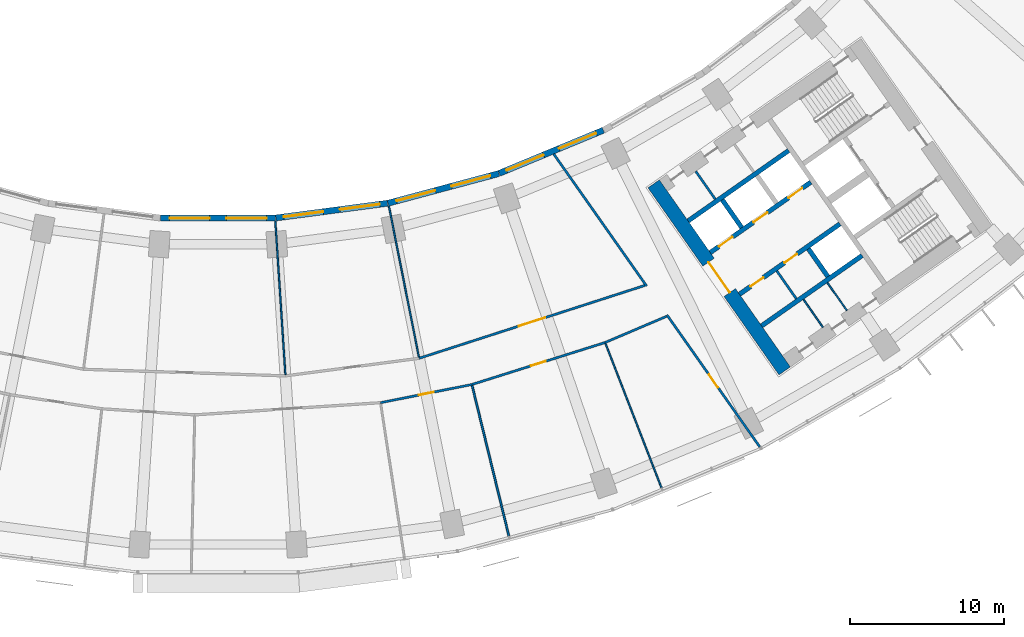
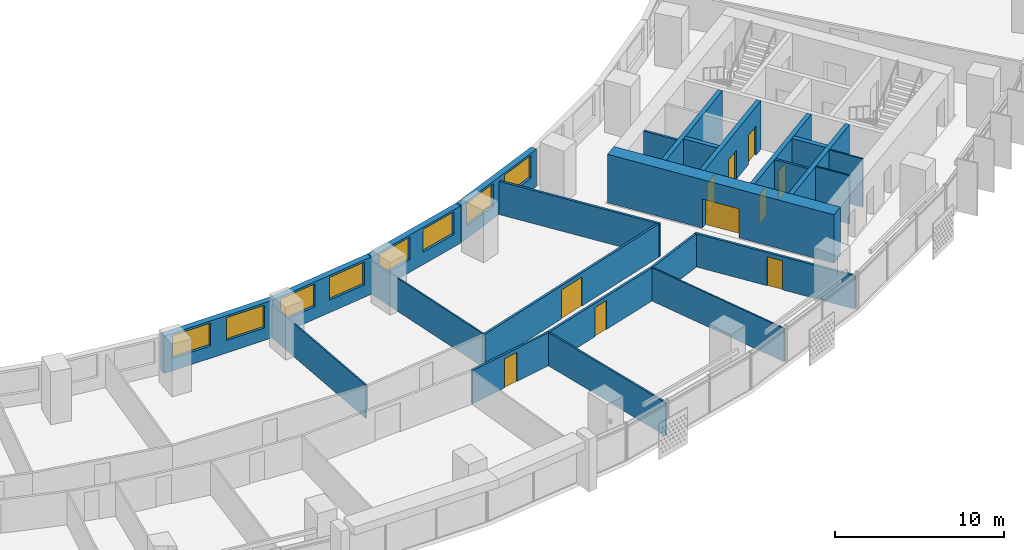
# One storey, part 6 of 31: 25 walls, 10 doors, 8 windows, 18 openings.
"""IFC4 building model written with IfcOpenShell, lengths in metres."""

from ifc_helpers import new_model, si_unit, direction, frame, frame_2d, origin, place, context, subcontext, project, spatial, rectangle, extrude, material, layer, layer_set, type_object, element, fill, save


model = new_model("IFC4")

# Units and contexts
model_context = context("Model", 3, precision=1e-05, world=origin(), true_north=direction((0.0, 1.0)))
body_context = subcontext(model_context, "Body", "Model", "MODEL_VIEW")
ifc_project = project(units=[si_unit("LENGTHUNIT", "METRE"), si_unit("AREAUNIT", "SQUARE_METRE"), si_unit("VOLUMEUNIT", "CUBIC_METRE"), si_unit("PLANEANGLEUNIT", "RADIAN"), si_unit("MASSUNIT", "GRAM", prefix="KILO")], contexts=[model_context])

# Site, building, storey
site_placement = place(None, origin())
site = spatial("IfcSite", under=ifc_project, at=site_placement, CompositionType="ELEMENT")
building_placement = place(site_placement, origin())
building = spatial("IfcBuilding", under=site, at=building_placement, Name="Qamariyya Broadcast Tower", CompositionType="ELEMENT")
storey_placement = place(building_placement, frame((0.0, 0.0, 74.699951171875)))
storey = spatial("IfcBuildingStorey", under=building, at=storey_placement, Name="L15", CompositionType="ELEMENT", Elevation=74.699951171875)

# Wall, opening, door
ifc_material_1 = material(Name="Concrete C70/85", Category="concrete")
ifc_layer_1 = layer(ifc_material_1, 0.89990234375)
ifc_layer_set_1 = layer_set([ifc_layer_1], Name="Core wall 900 mm Concrete C70/85")
wall_type_1 = type_object("IfcWallType", Name="Core wall 900 mm Concrete C70/85", PredefinedType="SHEAR", material=ifc_layer_set_1)
wall_1_placement = place(storey_placement, frame((36.716796875, -66.3369140625, 0.0), z_axis=(0.0, 0.0, 1.0), x_axis=(-0.573577477574, 0.819151315216, 0.0)))
wall_1 = element("IfcWall", 1, at=wall_1_placement, inside=storey, type_object=wall_type_1, Name="k-E-L15-WA", PredefinedType="SHEAR", context=body_context, shape_type="SweptSolid", body=[
    extrude(rectangle(XDim=14.800048828125, YDim=0.89990234375, at=frame_2d((7.39990234375, 0.0))), origin(), (0.0, 0.0, 1.0), 3.5),
])
opening_1_placement = place(wall_1_placement, frame((6.199951171875, 0.0, 0.0)))
opening_1 = element("IfcOpeningElement", 2, at=opening_1_placement, cuts=wall_1, Name="Opening KD3-E1", PredefinedType="OPENING", context=body_context, shape_type="SweptSolid", body=[
    extrude(rectangle(XDim=2.39990234375, YDim=2.10009765625, at=frame_2d((1.199951171875, 1.050048828125))), frame((0.0, 0.4599609375, 0.0), z_axis=(0.0, -1.0, 0.0), x_axis=(1.0, 0.0, 0.0)), (0.0, 0.0, 1.0), 0.919921875),
])
ifc_material_2 = material(Name="Steel fire-resisting door leaf", Category="steel")
door_type_1 = type_object("IfcDoorType", Name="Lift lobby door KD3", OperationType="DOUBLE_DOOR_SINGLE_SWING", PredefinedType="DOOR", material=ifc_material_2)
door_1_placement = place(opening_1_placement, origin())
door_1 = element("IfcDoor", 3, at=door_1_placement, inside=storey, type_object=door_type_1, Name="k-E-L15-WA-D1", OperationType="DOUBLE_DOOR_SINGLE_SWING", OverallHeight=2.10009765625, OverallWidth=2.39990234375, PredefinedType="DOOR", context=body_context, shape_type="SweptSolid", body=[
    extrude(rectangle(XDim=2.39990234375, YDim=2.10009765625, at=frame_2d((1.199951171875, 1.050048828125))), frame((0.0, 0.02490234375, 0.0), z_axis=(0.0, -1.0, 0.0), x_axis=(1.0, 0.0, 0.0)), (0.0, 0.0, 1.0), 0.050048828125),
])
fill(opening_1, door_1)

ifc_material_3 = material(Name="Gypsum board partition")
ifc_layer_2 = layer(ifc_material_3, 0.14990234375)
ifc_layer_set_2 = layer_set([ifc_layer_2], Name="Corridor partition 150 EI 60")
wall_type_2 = type_object("IfcWallType", Name="Corridor partition 150 EI 60", PredefinedType="PARTITIONING", material=ifc_layer_set_2)
wall_2_placement = place(storey_placement, frame((16.446044921875, -67.21728515625, 0.0), z_axis=(0.0, 0.0, 1.0), x_axis=(-0.980785582749, -0.195088802015, 0.0)))
wall_2 = element("IfcWall", 4, at=wall_2_placement, inside=storey, type_object=wall_type_2, Name="Partition L15-024", PredefinedType="PARTITIONING", context=body_context, shape_type="SweptSolid", body=[
    extrude(rectangle(XDim=6.033203125, YDim=0.14990234375, at=frame_2d((3.0166015625, 0.0))), origin(), (0.0, 0.0, 1.0), 2.400146484375),
])
opening_2_placement = place(wall_2_placement, frame((2.5166015625, 0.0, 0.0)))
opening_2 = element("IfcOpeningElement", 5, at=opening_2_placement, cuts=wall_2, Name="Opening L15-D07", PredefinedType="OPENING", context=body_context, shape_type="SweptSolid", body=[
    extrude(rectangle(XDim=1.0, YDim=2.10009765625, at=frame_2d((0.5, 1.050048828125))), frame((0.0, 0.0849609375, 0.0), z_axis=(0.0, -1.0, 0.0), x_axis=(1.0, 0.0, 0.0)), (0.0, 0.0, 1.0), 0.169921875),
])
ifc_material_4 = material(Name="Timber fire door leaf", Category="wood")
door_type_2 = type_object("IfcDoorType", Name="Fire door 1000 x 2100 FD60", OperationType="NOTDEFINED", PredefinedType="DOOR", material=ifc_material_4)
door_2_placement = place(opening_2_placement, origin())
door_2 = element("IfcDoor", 6, at=door_2_placement, inside=storey, type_object=door_type_2, Name="Door L15-D07", OperationType="SINGLE_SWING_RIGHT", OverallHeight=2.10009765625, OverallWidth=1.0, PredefinedType="DOOR", context=body_context, shape_type="SweptSolid", body=[
    extrude(rectangle(XDim=1.0, YDim=2.10009765625, at=frame_2d((0.5, 1.050048828125))), frame((0.0, 0.02490234375, 0.0), z_axis=(0.0, -1.0, 0.0), x_axis=(1.0, 0.0, 0.0)), (0.0, 0.0, 1.0), 0.050048828125),
])
fill(opening_2, door_2)

wall_3_placement = place(storey_placement, frame((13.031982421875, -65.516357421875, 0.0), z_axis=(0.0, 0.0, 1.0), x_axis=(0.951666530015, 0.307133221338, 0.0)))
wall_3 = element("IfcWall", 7, at=wall_3_placement, inside=storey, type_object=wall_type_2, Name="Partition L15-027", PredefinedType="PARTITIONING", context=body_context, shape_type="SweptSolid", body=[
    extrude(rectangle(XDim=15.3662109375, YDim=0.14990234375, at=frame_2d((7.68310546875, 0.0))), origin(), (0.0, 0.0, 1.0), 2.400146484375),
])
opening_3_placement = place(wall_3_placement, frame((6.782958984375, 0.0, 0.0)))
opening_3 = element("IfcOpeningElement", 8, at=opening_3_placement, cuts=wall_3, Name="Opening L15-D15", PredefinedType="OPENING", context=body_context, shape_type="SweptSolid", body=[
    extrude(rectangle(XDim=1.800048828125, YDim=2.10009765625, at=frame_2d((0.89990234375, 1.050048828125))), frame((0.0, 0.0849609375, 0.0), z_axis=(0.0, -1.0, 0.0), x_axis=(1.0, 0.0, 0.0)), (0.0, 0.0, 1.0), 0.169921875),
])
door_type_3 = type_object("IfcDoorType", Name="Double fire door 1800 x 2100 FD60", OperationType="NOTDEFINED", PredefinedType="DOOR", material=ifc_material_4)
door_3_placement = place(opening_3_placement, origin())
door_3 = element("IfcDoor", 9, at=door_3_placement, inside=storey, type_object=door_type_3, Name="Door L15-D15", OperationType="DOUBLE_DOOR_SINGLE_SWING", OverallHeight=2.10009765625, OverallWidth=1.800048828125, PredefinedType="DOOR", context=body_context, shape_type="SweptSolid", body=[
    extrude(rectangle(XDim=1.800048828125, YDim=2.10009765625, at=frame_2d((0.89990234375, 1.050048828125))), frame((0.0, 0.02490234375, 0.0), z_axis=(0.0, -1.0, 0.0), x_axis=(1.0, 0.0, 0.0)), (0.0, 0.0, 1.0), 0.050048828125),
])
fill(opening_3, door_3)

wall_4_placement = place(storey_placement, frame((25.078857421875, -64.49560546875, 0.0), z_axis=(0.0, 0.0, 1.0), x_axis=(-0.953724416281, -0.300682120834, 0.0)))
wall_4 = element("IfcWall", 10, at=wall_4_placement, inside=storey, type_object=wall_type_2, Name="Partition L15-028", PredefinedType="PARTITIONING", context=body_context, shape_type="SweptSolid", body=[
    extrude(rectangle(XDim=9.0517578125, YDim=0.14990234375, at=frame_2d((4.52587890625, 0.0))), origin(), (0.0, 0.0, 1.0), 2.400146484375),
])
opening_4_placement = place(wall_4_placement, frame((4.02587890625, 0.0, 0.0)))
opening_4 = element("IfcOpeningElement", 11, at=opening_4_placement, cuts=wall_4, Name="Opening L15-D08", PredefinedType="OPENING", context=body_context, shape_type="SweptSolid", body=[
    extrude(rectangle(XDim=1.0, YDim=2.10009765625, at=frame_2d((0.5, 1.050048828125))), frame((0.0, 0.0849609375, 0.0), z_axis=(0.0, -1.0, 0.0), x_axis=(1.0, 0.0, 0.0)), (0.0, 0.0, 1.0), 0.169921875),
])
door_4_placement = place(opening_4_placement, origin())
door_4 = element("IfcDoor", 12, at=door_4_placement, inside=storey, type_object=door_type_2, Name="Door L15-D08", OperationType="SINGLE_SWING_RIGHT", OverallHeight=2.10009765625, OverallWidth=1.0, PredefinedType="DOOR", context=body_context, shape_type="SweptSolid", body=[
    extrude(rectangle(XDim=1.0, YDim=2.10009765625, at=frame_2d((0.5, 1.050048828125))), frame((0.0, 0.02490234375, 0.0), z_axis=(0.0, -1.0, 0.0), x_axis=(1.0, 0.0, 0.0)), (0.0, 0.0, 1.0), 0.050048828125),
])
fill(opening_4, door_4)

# Walls
wall_5_placement = place(storey_placement, frame((21.748291015625, -52.2763671875, 0.0), z_axis=(0.0, 0.0, 1.0), x_axis=(0.575419434668, -0.817858468322, 0.0)))
element("IfcWall", 13, at=wall_5_placement, inside=storey, type_object=wall_type_2, Name="Partition L15-030", PredefinedType="PARTITIONING", context=body_context, shape_type="SweptSolid", body=[
    extrude(rectangle(XDim=10.46484375, YDim=0.14990234375, at=frame_2d((5.232421875, 0.0))), origin(), (0.0, 0.0, 1.0), 2.400146484375),
])
wall_6_placement = place(storey_placement, frame((25.078857421875, -64.49560546875, 0.0), z_axis=(0.0, 0.0, 1.0), x_axis=(0.920023602502, 0.391862949052, 0.0)))
element("IfcWall", 14, at=wall_6_placement, inside=storey, type_object=wall_type_2, Name="Partition L15-031", PredefinedType="PARTITIONING", context=body_context, shape_type="SweptSolid", body=[
    extrude(rectangle(XDim=4.329345703125, YDim=0.14990234375, at=frame_2d((2.16455078125, 0.0))), origin(), (0.0, 0.0, 1.0), 2.400146484375),
])

# Wall, opening, door
wall_7_placement = place(storey_placement, frame((35.11328125, -71.2724609375, 0.0), z_axis=(0.0, 0.0, 1.0), x_axis=(-0.575411972256, 0.817863718589, 0.0)))
wall_7 = element("IfcWall", 15, at=wall_7_placement, inside=storey, type_object=wall_type_2, Name="Partition L15-033", PredefinedType="PARTITIONING", context=body_context, shape_type="SweptSolid", body=[
    extrude(rectangle(XDim=10.471435546875, YDim=0.14990234375, at=frame_2d((5.23583984375, 0.0))), origin(), (0.0, 0.0, 1.0), 2.400146484375),
])
opening_5_placement = place(wall_7_placement, frame((4.735595703125, 0.0, 0.0)))
opening_5 = element("IfcOpeningElement", 16, at=opening_5_placement, cuts=wall_7, Name="Opening L15-D09", PredefinedType="OPENING", context=body_context, shape_type="SweptSolid", body=[
    extrude(rectangle(XDim=1.0, YDim=2.10009765625, at=frame_2d((0.5, 1.050048828125))), frame((0.0, 0.0849609375, 0.0), z_axis=(0.0, -1.0, 0.0), x_axis=(1.0, 0.0, 0.0)), (0.0, 0.0, 1.0), 0.169921875),
])
door_5_placement = place(opening_5_placement, origin())
door_5 = element("IfcDoor", 17, at=door_5_placement, inside=storey, type_object=door_type_2, Name="Door L15-D09", OperationType="SINGLE_SWING_RIGHT", OverallHeight=2.10009765625, OverallWidth=1.0, PredefinedType="DOOR", context=body_context, shape_type="SweptSolid", body=[
    extrude(rectangle(XDim=1.0, YDim=2.10009765625, at=frame_2d((0.5, 1.050048828125))), frame((0.0, 0.02490234375, 0.0), z_axis=(0.0, -1.0, 0.0), x_axis=(1.0, 0.0, 0.0)), (0.0, 0.0, 1.0), 0.050048828125),
])
fill(opening_5, door_5)

# Walls
ifc_material_5 = material(Name="Gypsum board partition on steel studs", Category="steel")
ifc_layer_3 = layer(ifc_material_5, 0.14990234375)
ifc_layer_set_3 = layer_set([ifc_layer_3], Name="Gypsum board partition 150 mm")
wall_type_3 = type_object("IfcWallType", Name="Gypsum board partition 150 mm", PredefinedType="PARTITIONING", material=ifc_layer_set_3)
for number, where, z_axis, x_axis, name in (
    (18, (36.2080078125, -59.85693359375, 0.0), (0.0, 0.0, 1.0), (0.573581496053, -0.819148501424, 0.0), "k-E-L15-SC285"),
    (19, (32.2177734375, -55.204345703125, 0.0), (0.0, 0.0, 1.0), (-0.573581496053, 0.819148501424, 0.0), "k-E-L15-NP225"),
):
    element("IfcWall", number, at=place(storey_placement, frame(where, z_axis=z_axis, x_axis=x_axis)), inside=storey, type_object=wall_type_3, Name=name, PredefinedType="PARTITIONING", context=body_context, shape_type="SweptSolid", body=[
        extrude(rectangle(XDim=2.2001953125, YDim=0.14990234375, at=frame_2d((1.10009765625, 0.0))), origin(), (0.0, 0.0, 1.0), 3.5),
    ])

# Wall, openings, doors
ifc_material_6 = material(Name="Concrete C60/75", Category="concrete")
ifc_layer_4 = layer(ifc_material_6, 0.300048828125)
ifc_layer_set_4 = layer_set([ifc_layer_4], Name="Lift shaft wall 300 mm Concrete C60/75")
wall_type_4 = type_object("IfcWallType", Name="Lift shaft wall 300 mm Concrete C60/75", PredefinedType="SOLIDWALL", material=ifc_layer_set_4)
wall_8_placement = place(storey_placement, frame((31.89453125, -58.66552734375, 0.0), z_axis=(0.0, 0.0, 1.0), x_axis=(0.819166993208, 0.573555086491, 0.0)))
wall_8 = element("IfcWall", 20, at=wall_8_placement, inside=storey, type_object=wall_type_4, Name="k-E-L15-NF0", PredefinedType="SOLIDWALL", context=body_context, shape_type="SweptSolid", body=[
    extrude(rectangle(XDim=7.9501953125, YDim=0.300048828125, at=frame_2d((3.97509765625, 0.0))), origin(), (0.0, 0.0, 1.0), 3.5),
])
opening_6_placement = place(wall_8_placement, frame((0.675048828125, 0.0, 0.0)))
opening_6 = element("IfcOpeningElement", 21, at=opening_6_placement, cuts=wall_8, Name="Opening LD", PredefinedType="OPENING", context=body_context, shape_type="SweptSolid", body=[
    extrude(rectangle(XDim=1.10009765625, YDim=2.10009765625, at=frame_2d((0.550048828125, 1.050048828125))), frame((0.0, 0.159912109375, 0.0), z_axis=(0.0, -1.0, 0.0), x_axis=(1.0, 0.0, 0.0)), (0.0, 0.0, 1.0), 0.320068359375),
])
opening_7_placement = place(wall_8_placement, frame((3.425048828125, 0.0, 0.0)))
opening_7 = element("IfcOpeningElement", 22, at=opening_7_placement, cuts=wall_8, Name="Opening LD", PredefinedType="OPENING", context=body_context, shape_type="SweptSolid", body=[
    extrude(rectangle(XDim=1.10009765625, YDim=2.10009765625, at=frame_2d((0.550048828125, 1.050048828125))), frame((0.0, 0.159912109375, 0.0), z_axis=(0.0, -1.0, 0.0), x_axis=(1.0, 0.0, 0.0)), (0.0, 0.0, 1.0), 0.320068359375),
])
opening_8_placement = place(wall_8_placement, frame((6.175048828125, 0.0, 0.0)))
opening_8 = element("IfcOpeningElement", 23, at=opening_8_placement, cuts=wall_8, Name="Opening LD", PredefinedType="OPENING", context=body_context, shape_type="SweptSolid", body=[
    extrude(rectangle(XDim=1.10009765625, YDim=2.10009765625, at=frame_2d((0.550048828125, 1.050048828125))), frame((0.0, 0.159912109375, 0.0), z_axis=(0.0, -1.0, 0.0), x_axis=(1.0, 0.0, 0.0)), (0.0, 0.0, 1.0), 0.320068359375),
])
door_type_4 = type_object("IfcDoorType", Name="Lift landing door LD", OperationType="DOUBLE_DOOR_SLIDING", PredefinedType="DOOR", material=ifc_material_2)
door_6_placement = place(opening_6_placement, origin())
door_6 = element("IfcDoor", 24, at=door_6_placement, inside=storey, type_object=door_type_4, Name="k-E-L15-NF0-D2", OperationType="DOUBLE_DOOR_SLIDING", OverallHeight=2.10009765625, OverallWidth=1.10009765625, PredefinedType="DOOR", context=body_context, shape_type="SweptSolid", body=[
    extrude(rectangle(XDim=1.10009765625, YDim=2.10009765625, at=frame_2d((0.550048828125, 1.050048828125))), frame((0.0, 0.02490234375, 0.0), z_axis=(0.0, -1.0, 0.0), x_axis=(1.0, 0.0, 0.0)), (0.0, 0.0, 1.0), 0.050048828125),
])
fill(opening_6, door_6)
door_7_placement = place(opening_7_placement, origin())
door_7 = element("IfcDoor", 25, at=door_7_placement, inside=storey, type_object=door_type_4, Name="k-E-L15-NF0-D3", OperationType="DOUBLE_DOOR_SLIDING", OverallHeight=2.10009765625, OverallWidth=1.10009765625, PredefinedType="DOOR", context=body_context, shape_type="SweptSolid", body=[
    extrude(rectangle(XDim=1.10009765625, YDim=2.10009765625, at=frame_2d((0.550048828125, 1.050048828125))), frame((0.0, 0.02490234375, 0.0), z_axis=(0.0, -1.0, 0.0), x_axis=(1.0, 0.0, 0.0)), (0.0, 0.0, 1.0), 0.050048828125),
])
fill(opening_7, door_7)
door_8_placement = place(opening_8_placement, origin())
door_8 = element("IfcDoor", 26, at=door_8_placement, inside=storey, type_object=door_type_4, Name="k-E-L15-NF0-D4", OperationType="DOUBLE_DOOR_SLIDING", OverallHeight=2.10009765625, OverallWidth=1.10009765625, PredefinedType="DOOR", context=body_context, shape_type="SweptSolid", body=[
    extrude(rectangle(XDim=1.10009765625, YDim=2.10009765625, at=frame_2d((0.550048828125, 1.050048828125))), frame((0.0, 0.02490234375, 0.0), z_axis=(0.0, -1.0, 0.0), x_axis=(1.0, 0.0, 0.0)), (0.0, 0.0, 1.0), 0.050048828125),
])
fill(opening_8, door_8)

# Walls
wall_9_placement = place(storey_placement, frame((30.460693359375, -56.61767578125, 0.0), z_axis=(0.0, 0.0, 1.0), x_axis=(0.819142461705, 0.573590121456, 0.0)))
element("IfcWall", 27, at=wall_9_placement, inside=storey, type_object=wall_type_4, Name="k-E-L15-NB0", PredefinedType="SOLIDWALL", context=body_context, shape_type="SweptSolid", body=[
    extrude(rectangle(XDim=7.949951171875, YDim=0.300048828125, at=frame_2d((3.97509765625, 0.0))), origin(), (0.0, 0.0, 1.0), 3.5),
])
wall_10_placement = place(storey_placement, frame((33.9384765625, -57.051513671875, 0.0), z_axis=(0.0, 0.0, 1.0), x_axis=(-0.573581496053, 0.819148501424, 0.0)))
element("IfcWall", 28, at=wall_10_placement, inside=storey, type_object=wall_type_4, Name="k-E-L15-ND0", PredefinedType="SOLIDWALL", context=body_context, shape_type="SweptSolid", body=[
    extrude(rectangle(XDim=2.2001953125, YDim=0.300048828125, at=frame_2d((1.10009765625, 0.0))), origin(), (0.0, 0.0, 1.0), 3.5),
])

# Wall, openings, doors
wall_11_placement = place(storey_placement, frame((33.787353515625, -61.368896484375, 0.0), z_axis=(0.0, 0.0, 1.0), x_axis=(0.819152564888, 0.573575692858, 0.0)))
wall_11 = element("IfcWall", 29, at=wall_11_placement, inside=storey, type_object=wall_type_4, Name="k-E-L15-SF0", PredefinedType="SOLIDWALL", context=body_context, shape_type="SweptSolid", body=[
    extrude(rectangle(XDim=7.9501953125, YDim=0.300048828125, at=frame_2d((3.97509765625, 0.0))), origin(), (0.0, 0.0, 1.0), 3.5),
])
opening_9_placement = place(wall_11_placement, frame((0.887451171875, 0.0, 0.0)))
opening_9 = element("IfcOpeningElement", 30, at=opening_9_placement, cuts=wall_11, Name="Opening KD4-E1", PredefinedType="OPENING", context=body_context, shape_type="SweptSolid", body=[
    extrude(rectangle(XDim=1.0, YDim=2.10009765625, at=frame_2d((0.5, 1.050048828125))), frame((0.0, 0.159912109375, 0.0), z_axis=(0.0, -1.0, 0.0), x_axis=(1.0, 0.0, 0.0)), (0.0, 0.0, 1.0), 0.320068359375),
])
opening_10_placement = place(wall_11_placement, frame((3.5625, 0.0, 0.0)))
opening_10 = element("IfcOpeningElement", 31, at=opening_10_placement, cuts=wall_11, Name="Opening KD6-E1", PredefinedType="OPENING", context=body_context, shape_type="SweptSolid", body=[
    extrude(rectangle(XDim=1.0, YDim=2.10009765625, at=frame_2d((0.5, 1.050048828125))), frame((0.0, 0.159912109375, 0.0), z_axis=(0.0, -1.0, 0.0), x_axis=(1.0, 0.0, 0.0)), (0.0, 0.0, 1.0), 0.320068359375),
])
door_type_5 = type_object("IfcDoorType", Name="Core room door KD6", OperationType="SINGLE_SWING_LEFT", PredefinedType="DOOR", material=ifc_material_2)
door_9_placement = place(opening_10_placement, origin())
door_9 = element("IfcDoor", 32, at=door_9_placement, inside=storey, type_object=door_type_5, Name="k-E-L15-SF0-D6", OperationType="SINGLE_SWING_RIGHT", OverallHeight=2.10009765625, OverallWidth=1.0, PredefinedType="DOOR", context=body_context, shape_type="SweptSolid", body=[
    extrude(rectangle(XDim=1.0, YDim=2.10009765625, at=frame_2d((0.5, 1.050048828125))), frame((0.0, 0.02490234375, 0.0), z_axis=(0.0, -1.0, 0.0), x_axis=(1.0, 0.0, 0.0)), (0.0, 0.0, 1.0), 0.050048828125),
])
fill(opening_10, door_9)
door_type_6 = type_object("IfcDoorType", Name="Riser and plant door KD4", OperationType="SINGLE_SWING_LEFT", PredefinedType="DOOR", material=ifc_material_2)
door_10_placement = place(opening_9_placement, origin())
door_10 = element("IfcDoor", 33, at=door_10_placement, inside=storey, type_object=door_type_6, Name="k-E-L15-SF0-D5", OperationType="SINGLE_SWING_LEFT", OverallHeight=2.10009765625, OverallWidth=1.0, PredefinedType="DOOR", context=body_context, shape_type="SweptSolid", body=[
    extrude(rectangle(XDim=1.0, YDim=2.10009765625, at=frame_2d((0.5, 1.050048828125))), frame((0.0, 0.02490234375, 0.0), z_axis=(0.0, -1.0, 0.0), x_axis=(1.0, 0.0, 0.0)), (0.0, 0.0, 1.0), 0.050048828125),
])
fill(opening_9, door_10)

# Walls
wall_12_placement = place(storey_placement, frame((35.22119140625, -63.41650390625, 0.0), z_axis=(0.0, 0.0, 1.0), x_axis=(0.819166993208, 0.573555086491, 0.0)))
element("IfcWall", 34, at=wall_12_placement, inside=storey, type_object=wall_type_4, Name="k-E-L15-SB0", PredefinedType="SOLIDWALL", context=body_context, shape_type="SweptSolid", body=[
    extrude(rectangle(XDim=7.9501953125, YDim=0.300048828125, at=frame_2d((3.97509765625, 0.0))), origin(), (0.0, 0.0, 1.0), 3.5),
])
wall_13_placement = place(storey_placement, frame((38.255859375, -58.423095703125, 0.0), z_axis=(0.0, 0.0, 1.0), x_axis=(0.573633636671, -0.819111989218, 0.0)))
element("IfcWall", 35, at=wall_13_placement, inside=storey, type_object=wall_type_4, Name="k-E-L15-SD1", PredefinedType="SOLIDWALL", context=body_context, shape_type="SweptSolid", body=[
    extrude(rectangle(XDim=2.199951171875, YDim=0.300048828125, at=frame_2d((1.10009765625, 0.0))), origin(), (0.0, 0.0, 1.0), 3.5),
])
ifc_material_7 = material(Name="Operable acoustic wall panels")
ifc_layer_5 = layer(ifc_material_7, 0.125)
ifc_layer_set_5 = layer_set([ifc_layer_5], Name="Operable acoustic partition 125")
wall_type_5 = type_object("IfcWallType", Name="Operable acoustic partition 125", PredefinedType="MOVABLE", material=ifc_layer_set_5)
wall_14_placement = place(storey_placement, frame((18.845947265625, -77.0263671875, 0.0), z_axis=(0.0, 0.0, 1.0), x_axis=(-0.237655344985, 0.971349544191, 0.0)))
element("IfcWall", 36, at=wall_14_placement, inside=storey, type_object=wall_type_5, Name="Operable partition L15-029", PredefinedType="MOVABLE", context=body_context, shape_type="SweptSolid", body=[
    extrude(rectangle(XDim=10.023193359375, YDim=0.125, at=frame_2d((5.01171875, 0.0))), origin(), (0.0, 0.0, 1.0), 2.400146484375),
])
ifc_layer_6 = layer(ifc_material_3, 0.10009765625)
ifc_layer_set_6 = layer_set([ifc_layer_6], Name="Partition 100")
wall_type_6 = type_object("IfcWallType", Name="Partition 100", PredefinedType="PARTITIONING", material=ifc_layer_set_6)
for number, where, z_axis, x_axis, name in (
    (37, (3.711669921875, -56.62841796875, 0.0), (0.0, 0.0, 1.0), (0.06539808502, -0.997859253841, 0.0), "Partition L15-022"),
    (38, (11.0712890625, -55.65966796875, 0.0), (0.0, 0.0, 1.0), (0.195094645032, -0.980784420492, 0.0), "Partition L15-025"),
):
    element("IfcWall", number, at=place(storey_placement, frame(where, z_axis=z_axis, x_axis=x_axis)), inside=storey, type_object=wall_type_6, Name=name, PredefinedType="PARTITIONING", context=body_context, shape_type="SweptSolid", body=[
        extrude(rectangle(XDim=9.974853515625, YDim=0.10009765625, at=frame_2d((4.9873046875, 0.0))), origin(), (0.0, 0.0, 1.0), 2.400146484375),
    ])
wall_15_placement = place(storey_placement, frame((28.73876953125, -73.907470703125, 0.0), z_axis=(0.0, 0.0, 1.0), x_axis=(-0.362407472517, 0.932019755082, 0.0)))
element("IfcWall", 39, at=wall_15_placement, inside=storey, type_object=wall_type_6, Name="Partition L15-032", PredefinedType="PARTITIONING", context=body_context, shape_type="SweptSolid", body=[
    extrude(rectangle(XDim=10.0234375, YDim=0.10009765625, at=frame_2d((5.01171875, 0.0))), origin(), (0.0, 0.0, 1.0), 2.400146484375),
])
ifc_material_8 = material(Name="Fire-rated gypsum shaft liner on steel studs", Category="steel")
ifc_layer_7 = layer(ifc_material_8, 0.10009765625)
ifc_layer_set_7 = layer_set([ifc_layer_7], Name="Riser wall 100 mm")
wall_type_7 = type_object("IfcWallType", Name="Riser wall 100 mm", PredefinedType="PLUMBINGWALL", material=ifc_layer_set_7)
wall_16_placement = place(storey_placement, frame((37.9287109375, -61.7041015625, 0.0), z_axis=(0.0, 0.0, 1.0), x_axis=(0.573559170999, -0.819164133348, 0.0)))
element("IfcWall", 40, at=wall_16_placement, inside=storey, type_object=wall_type_7, Name="k-E-L15-SP320", PredefinedType="PLUMBINGWALL", context=body_context, shape_type="SweptSolid", body=[
    extrude(rectangle(XDim=2.19970703125, YDim=0.10009765625, at=frame_2d((1.099853515625, 0.0))), origin(), (0.0, 0.0, 1.0), 3.5),
])
wall_17_placement = place(storey_placement, frame((39.485107421875, -60.6142578125, 0.0), z_axis=(0.0, 0.0, 1.0), x_axis=(0.573507030513, -0.819200638399, 0.0)))
element("IfcWall", 41, at=wall_17_placement, inside=storey, type_object=wall_type_7, Name="k-E-L15-SP510", PredefinedType="PLUMBINGWALL", context=body_context, shape_type="SweptSolid", body=[
    extrude(rectangle(XDim=2.199951171875, YDim=0.10009765625, at=frame_2d((1.10009765625, 0.0))), origin(), (0.0, 0.0, 1.0), 3.5),
])

# Wall, openings, windows
ifc_material_9 = material(Name="Terracotta", Category="masonry")
ifc_layer_8 = layer(ifc_material_9, 0.39990234375)
ifc_layer_set_8 = layer_set([ifc_layer_8], Name="Terracotta clad wall 400")
wall_type_8 = type_object("IfcWallType", Name="Terracotta clad wall 400", PredefinedType="SOLIDWALL", material=ifc_layer_set_8)
wall_18_placement = place(storey_placement, frame((18.20166015625, -53.542724609375, 0.0), z_axis=(0.0, 0.0, 1.0), x_axis=(-0.965924637935, -0.25882348006, 0.0)))
wall_18 = element("IfcWall", 42, at=wall_18_placement, inside=storey, type_object=wall_type_8, Name="e-wl-L15-in100", PredefinedType="SOLIDWALL", context=body_context, shape_type="SweptSolid", body=[
    extrude(rectangle(XDim=7.447021484375, YDim=0.39990234375, at=frame_2d((3.7236328125, 0.0))), origin(), (0.0, 0.0, 1.0), 2.699951171875),
])
opening_11_placement = place(wall_18_placement, frame((4.266357421875, 0.0, 0.89990234375)))
opening_11 = element("IfcOpeningElement", 43, at=opening_11_placement, cuts=wall_18, Name="Opening W1", PredefinedType="OPENING", context=body_context, shape_type="SweptSolid", body=[
    extrude(rectangle(XDim=2.60009765625, YDim=1.64990234375, at=frame_2d((1.300048828125, 0.824951171875))), frame((0.0, 0.2099609375, 0.0), z_axis=(0.0, -1.0, 0.0), x_axis=(1.0, 0.0, 0.0)), (0.0, 0.0, 1.0), 0.419921875),
])
opening_12_placement = place(wall_18_placement, frame((0.580810546875, 0.0, 0.89990234375)))
opening_12 = element("IfcOpeningElement", 44, at=opening_12_placement, cuts=wall_18, Name="Opening W1", PredefinedType="OPENING", context=body_context, shape_type="SweptSolid", body=[
    extrude(rectangle(XDim=2.60009765625, YDim=1.64990234375, at=frame_2d((1.300048828125, 0.824951171875))), frame((0.0, 0.2099609375, 0.0), z_axis=(0.0, -1.0, 0.0), x_axis=(1.0, 0.0, 0.0)), (0.0, 0.0, 1.0), 0.419921875),
])
ifc_material_10 = material(Name="Clear low-e double glazed unit in aluminium frame", Category="aluminium")
window_type = type_object("IfcWindowType", Name="Ribbon window 2600 x 1650", PartitioningType="SINGLE_PANEL", PredefinedType="WINDOW", material=ifc_material_10)
window_1_placement = place(opening_11_placement, origin())
window_1 = element("IfcWindow", 45, at=window_1_placement, inside=storey, type_object=window_type, Name="e-w-L15-in10-0", OverallHeight=1.64990234375, OverallWidth=2.60009765625, PartitioningType="SINGLE_PANEL", PredefinedType="WINDOW", context=body_context, shape_type="SweptSolid", body=[
    extrude(rectangle(XDim=2.60009765625, YDim=1.64990234375, at=frame_2d((1.300048828125, 0.824951171875))), frame((0.0, 0.030029296875, 0.0), z_axis=(0.0, -1.0, 0.0), x_axis=(1.0, 0.0, 0.0)), (0.0, 0.0, 1.0), 0.06005859375),
])
fill(opening_11, window_1)
window_2_placement = place(opening_12_placement, origin())
window_2 = element("IfcWindow", 46, at=window_2_placement, inside=storey, type_object=window_type, Name="e-w-L15-in10-1", OverallHeight=1.64990234375, OverallWidth=2.60009765625, PartitioningType="SINGLE_PANEL", PredefinedType="WINDOW", context=body_context, shape_type="SweptSolid", body=[
    extrude(rectangle(XDim=2.60009765625, YDim=1.64990234375, at=frame_2d((1.300048828125, 0.824951171875))), frame((0.0, 0.030029296875, 0.0), z_axis=(0.0, -1.0, 0.0), x_axis=(1.0, 0.0, 0.0)), (0.0, 0.0, 1.0), 0.06005859375),
])
fill(opening_12, window_2)

wall_19_placement = place(storey_placement, frame((24.96484375, -50.738037109375, 0.0), z_axis=(0.0, 0.0, 1.0), x_axis=(-0.923891626322, -0.382654234018, 0.0)))
wall_19 = element("IfcWall", 47, at=wall_19_placement, inside=storey, type_object=wall_type_8, Name="e-wl-L15-in110", PredefinedType="SOLIDWALL", context=body_context, shape_type="SweptSolid", body=[
    extrude(rectangle(XDim=7.295654296875, YDim=0.39990234375, at=frame_2d((3.64794921875, 0.0))), origin(), (0.0, 0.0, 1.0), 2.699951171875),
])
opening_13_placement = place(wall_19_placement, frame((4.190673828125, 0.0, 0.89990234375)))
opening_13 = element("IfcOpeningElement", 48, at=opening_13_placement, cuts=wall_19, Name="Opening W1", PredefinedType="OPENING", context=body_context, shape_type="SweptSolid", body=[
    extrude(rectangle(XDim=2.60009765625, YDim=1.64990234375, at=frame_2d((1.300048828125, 0.824951171875))), frame((0.0, 0.2099609375, 0.0), z_axis=(0.0, -1.0, 0.0), x_axis=(1.0, 0.0, 0.0)), (0.0, 0.0, 1.0), 0.419921875),
])
opening_14_placement = place(wall_19_placement, frame((0.505126953125, 0.0, 0.89990234375)))
opening_14 = element("IfcOpeningElement", 49, at=opening_14_placement, cuts=wall_19, Name="Opening W1", PredefinedType="OPENING", context=body_context, shape_type="SweptSolid", body=[
    extrude(rectangle(XDim=2.60009765625, YDim=1.64990234375, at=frame_2d((1.300048828125, 0.824951171875))), frame((0.0, 0.2099609375, 0.0), z_axis=(0.0, -1.0, 0.0), x_axis=(1.0, 0.0, 0.0)), (0.0, 0.0, 1.0), 0.419921875),
])
window_3_placement = place(opening_13_placement, origin())
window_3 = element("IfcWindow", 50, at=window_3_placement, inside=storey, type_object=window_type, Name="e-w-L15-in11-0", OverallHeight=1.64990234375, OverallWidth=2.60009765625, PartitioningType="SINGLE_PANEL", PredefinedType="WINDOW", context=body_context, shape_type="SweptSolid", body=[
    extrude(rectangle(XDim=2.60009765625, YDim=1.64990234375, at=frame_2d((1.300048828125, 0.824951171875))), frame((0.0, 0.030029296875, 0.0), z_axis=(0.0, -1.0, 0.0), x_axis=(1.0, 0.0, 0.0)), (0.0, 0.0, 1.0), 0.06005859375),
])
fill(opening_13, window_3)
window_4_placement = place(opening_14_placement, origin())
window_4 = element("IfcWindow", 51, at=window_4_placement, inside=storey, type_object=window_type, Name="e-w-L15-in11-1", OverallHeight=1.64990234375, OverallWidth=2.60009765625, PartitioningType="SINGLE_PANEL", PredefinedType="WINDOW", context=body_context, shape_type="SweptSolid", body=[
    extrude(rectangle(XDim=2.60009765625, YDim=1.64990234375, at=frame_2d((1.300048828125, 0.824951171875))), frame((0.0, 0.030029296875, 0.0), z_axis=(0.0, -1.0, 0.0), x_axis=(1.0, 0.0, 0.0)), (0.0, 0.0, 1.0), 0.06005859375),
])
fill(opening_14, window_4)

wall_20_placement = place(storey_placement, frame((3.7236328125, -56.429443359375, 0.0), z_axis=(0.0, 0.0, 1.0), x_axis=(-1.0, 0.0, 0.0)))
wall_20 = element("IfcWall", 52, at=wall_20_placement, inside=storey, type_object=wall_type_8, Name="e-wl-L15-in80", PredefinedType="SOLIDWALL", context=body_context, shape_type="SweptSolid", body=[
    extrude(rectangle(XDim=7.447265625, YDim=0.39990234375, at=frame_2d((3.7236328125, 0.0))), origin(), (0.0, 0.0, 1.0), 2.699951171875),
])
opening_15_placement = place(wall_20_placement, frame((4.266357421875, 0.0, 0.89990234375)))
opening_15 = element("IfcOpeningElement", 53, at=opening_15_placement, cuts=wall_20, Name="Opening W1", PredefinedType="OPENING", context=body_context, shape_type="SweptSolid", body=[
    extrude(rectangle(XDim=2.60009765625, YDim=1.64990234375, at=frame_2d((1.300048828125, 0.824951171875))), frame((0.0, 0.2099609375, 0.0), z_axis=(0.0, -1.0, 0.0), x_axis=(1.0, 0.0, 0.0)), (0.0, 0.0, 1.0), 0.419921875),
])
opening_16_placement = place(wall_20_placement, frame((0.580810546875, 0.0, 0.89990234375)))
opening_16 = element("IfcOpeningElement", 54, at=opening_16_placement, cuts=wall_20, Name="Opening W1", PredefinedType="OPENING", context=body_context, shape_type="SweptSolid", body=[
    extrude(rectangle(XDim=2.60009765625, YDim=1.64990234375, at=frame_2d((1.300048828125, 0.824951171875))), frame((0.0, 0.2099609375, 0.0), z_axis=(0.0, -1.0, 0.0), x_axis=(1.0, 0.0, 0.0)), (0.0, 0.0, 1.0), 0.419921875),
])
window_5_placement = place(opening_15_placement, origin())
window_5 = element("IfcWindow", 55, at=window_5_placement, inside=storey, type_object=window_type, Name="e-w-L15-in08-0", OverallHeight=1.64990234375, OverallWidth=2.60009765625, PartitioningType="SINGLE_PANEL", PredefinedType="WINDOW", context=body_context, shape_type="SweptSolid", body=[
    extrude(rectangle(XDim=2.60009765625, YDim=1.64990234375, at=frame_2d((1.300048828125, 0.824951171875))), frame((0.0, 0.030029296875, 0.0), z_axis=(0.0, -1.0, 0.0), x_axis=(1.0, 0.0, 0.0)), (0.0, 0.0, 1.0), 0.06005859375),
])
fill(opening_15, window_5)
window_6_placement = place(opening_16_placement, origin())
window_6 = element("IfcWindow", 56, at=window_6_placement, inside=storey, type_object=window_type, Name="e-w-L15-in08-1", OverallHeight=1.64990234375, OverallWidth=2.60009765625, PartitioningType="SINGLE_PANEL", PredefinedType="WINDOW", context=body_context, shape_type="SweptSolid", body=[
    extrude(rectangle(XDim=2.60009765625, YDim=1.64990234375, at=frame_2d((1.300048828125, 0.824951171875))), frame((0.0, 0.030029296875, 0.0), z_axis=(0.0, -1.0, 0.0), x_axis=(1.0, 0.0, 0.0)), (0.0, 0.0, 1.0), 0.06005859375),
])
fill(opening_16, window_6)

wall_21_placement = place(storey_placement, frame((10.982177734375, -55.470458984375, 0.0), z_axis=(0.0, 0.0, 1.0), x_axis=(-0.99144746031, -0.130506449818, 0.0)))
wall_21 = element("IfcWall", 57, at=wall_21_placement, inside=storey, type_object=wall_type_8, Name="e-wl-L15-in90", PredefinedType="SOLIDWALL", context=body_context, shape_type="SweptSolid", body=[
    extrude(rectangle(XDim=7.2958984375, YDim=0.39990234375, at=frame_2d((3.64794921875, 0.0))), origin(), (0.0, 0.0, 1.0), 2.699951171875),
])
opening_17_placement = place(wall_21_placement, frame((4.190673828125, 0.0, 0.89990234375)))
opening_17 = element("IfcOpeningElement", 58, at=opening_17_placement, cuts=wall_21, Name="Opening W1", PredefinedType="OPENING", context=body_context, shape_type="SweptSolid", body=[
    extrude(rectangle(XDim=2.60009765625, YDim=1.64990234375, at=frame_2d((1.300048828125, 0.824951171875))), frame((0.0, 0.2099609375, 0.0), z_axis=(0.0, -1.0, 0.0), x_axis=(1.0, 0.0, 0.0)), (0.0, 0.0, 1.0), 0.419921875),
])
opening_18_placement = place(wall_21_placement, frame((0.505126953125, 0.0, 0.89990234375)))
opening_18 = element("IfcOpeningElement", 59, at=opening_18_placement, cuts=wall_21, Name="Opening W1", PredefinedType="OPENING", context=body_context, shape_type="SweptSolid", body=[
    extrude(rectangle(XDim=2.60009765625, YDim=1.64990234375, at=frame_2d((1.300048828125, 0.824951171875))), frame((0.0, 0.2099609375, 0.0), z_axis=(0.0, -1.0, 0.0), x_axis=(1.0, 0.0, 0.0)), (0.0, 0.0, 1.0), 0.419921875),
])
window_7_placement = place(opening_17_placement, origin())
window_7 = element("IfcWindow", 60, at=window_7_placement, inside=storey, type_object=window_type, Name="e-w-L15-in09-0", OverallHeight=1.64990234375, OverallWidth=2.60009765625, PartitioningType="SINGLE_PANEL", PredefinedType="WINDOW", context=body_context, shape_type="SweptSolid", body=[
    extrude(rectangle(XDim=2.60009765625, YDim=1.64990234375, at=frame_2d((1.300048828125, 0.824951171875))), frame((0.0, 0.030029296875, 0.0), z_axis=(0.0, -1.0, 0.0), x_axis=(1.0, 0.0, 0.0)), (0.0, 0.0, 1.0), 0.06005859375),
])
fill(opening_17, window_7)
window_8_placement = place(opening_18_placement, origin())
window_8 = element("IfcWindow", 61, at=window_8_placement, inside=storey, type_object=window_type, Name="e-w-L15-in09-1", OverallHeight=1.64990234375, OverallWidth=2.60009765625, PartitioningType="SINGLE_PANEL", PredefinedType="WINDOW", context=body_context, shape_type="SweptSolid", body=[
    extrude(rectangle(XDim=2.60009765625, YDim=1.64990234375, at=frame_2d((1.300048828125, 0.824951171875))), frame((0.0, 0.030029296875, 0.0), z_axis=(0.0, -1.0, 0.0), x_axis=(1.0, 0.0, 0.0)), (0.0, 0.0, 1.0), 0.06005859375),
])
fill(opening_18, window_8)

save(model, "model.ifc")
